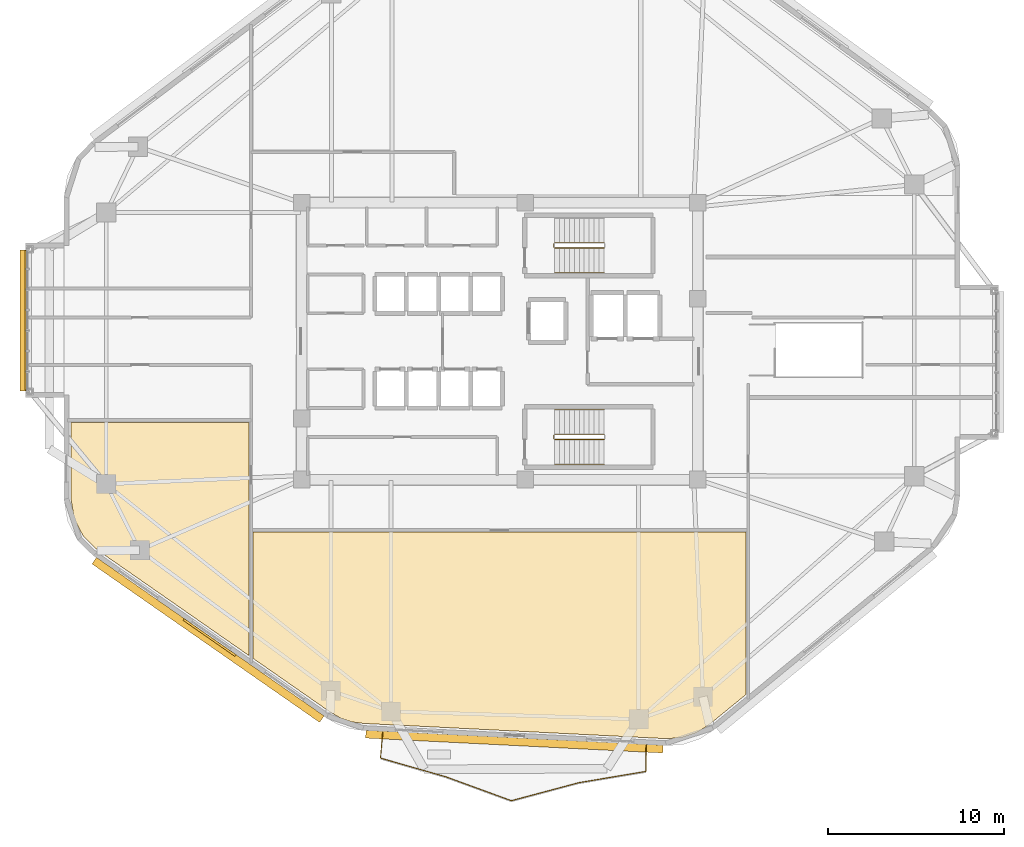
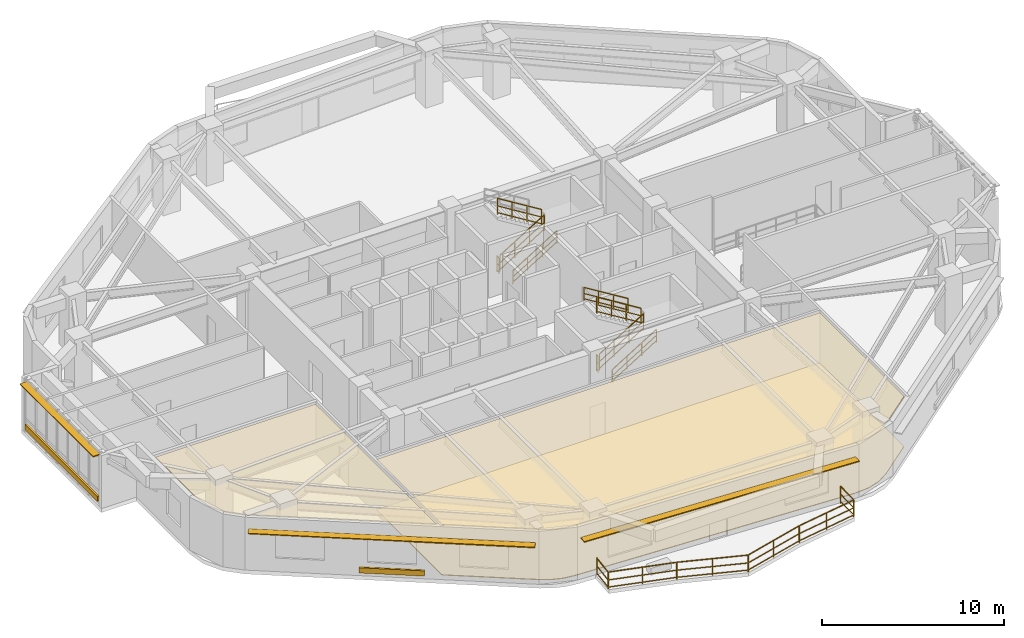
# One storey, part 12 of 14: 15 railings, 5 shading devices, 3 coverings.
"""IFC4 building model written with IfcOpenShell, lengths in metres."""

import ifcopenshell
import ifcopenshell.guid

model = None  # the IFC model being written
_history = None  # IfcOwnerHistory: only IFC2X3 demands one
_inside = {}  # id of a spatial element -> (the spatial element, [elements in it])
_under = {}  # id of a project, library or spatial element -> (it, [spatial elements below it])
_declared = {}  # id of a project -> (the project, [libraries it declares])
_typed = {}  # id of a type object -> (the type object, [elements of that type])
_made_of = {}  # id of a material, layer set ... -> (it, [elements and type objects made of it])


def new_model(schema):
    """Start an empty IFC model of exactly this schema.

    Asked for "IFC4X3", IfcOpenShell would pick the latest addendum, in which some entities
    have other attributes; the version numbers below select the first issue.
    IFC2X3 requires an IfcOwnerHistory on every rooted entity: one is made here for all.
    """
    global model, _history
    if schema == "IFC4X3":
        model = ifcopenshell.file(schema_version=(4, 3, 0, 0))
    else:
        model = ifcopenshell.file(schema=schema)
    _inside.clear()
    _under.clear()
    _declared.clear()
    _typed.clear()
    _made_of.clear()
    _history = None
    if model.schema == "IFC2X3":
        org = make("IfcOrganization", Name="unknown")
        user = make(
            "IfcPersonAndOrganization",
            ThePerson=make("IfcPerson", FamilyName="unknown"),
            TheOrganization=org,
        )
        app = make(
            "IfcApplication",
            ApplicationDeveloper=org,
            Version="unknown",
            ApplicationFullName="unknown",
            ApplicationIdentifier="unknown",
        )
        _history = make(
            "IfcOwnerHistory",
            OwningUser=user,
            OwningApplication=app,
            ChangeAction="ADDED",
            CreationDate=0,
        )
    return model


def make(cls, **values):
    """One entity of the class cls with the attributes given. An attribute that is None is left unset."""
    return model.create_entity(
        cls, **{name: value for name, value in values.items() if value is not None}
    )


def rooted(cls, **values):
    """An entity with a GlobalId (a new one), such as an element, a storey or a relation."""
    return make(cls, GlobalId=ifcopenshell.guid.new(), OwnerHistory=_history, **values)


def si_unit(unit_type, name, prefix=None):
    """IfcSIUnit, for example si_unit("LENGTHUNIT", "METRE", prefix="MILLI")."""
    return make("IfcSIUnit", UnitType=unit_type, Prefix=prefix, Name=name)


def assignment(units):
    """IfcUnitAssignment: the units of a project."""
    return None if units is None else make("IfcUnitAssignment", Units=units)


def point(xyz):
    """IfcCartesianPoint."""
    return None if xyz is None else make("IfcCartesianPoint", Coordinates=xyz)


def direction(xyz):
    """IfcDirection."""
    return None if xyz is None else make("IfcDirection", DirectionRatios=xyz)


def frame(location, z_axis=None, x_axis=None):
    """IfcAxis2Placement3D, a coordinate frame: its origin and axes. An axis left out is left unset."""
    return make(
        "IfcAxis2Placement3D",
        Location=point(location),
        Axis=direction(z_axis),
        RefDirection=direction(x_axis),
    )


def frame_2d(location, x_axis=None):
    """IfcAxis2Placement2D, a coordinate frame in the plane: its origin and x axis."""
    return make(
        "IfcAxis2Placement2D", Location=point(location), RefDirection=direction(x_axis)
    )


def origin():
    """The frame at (0, 0, 0) with its axes left unset."""
    return frame((0.0, 0.0, 0.0))


def origin_2d():
    """The frame at (0, 0) in the plane with its x axis left unset."""
    return frame_2d((0.0, 0.0))


def place(relative_to, where):
    """IfcLocalPlacement: puts the frame where relative to a parent placement (None: the world)."""
    return make(
        "IfcLocalPlacement", PlacementRelTo=relative_to, RelativePlacement=where
    )


def context(
    kind, dimensions, precision=None, world=None, true_north=None, identifier=None
):
    """IfcGeometricRepresentationContext, for example the 3D "Model" context."""
    return make(
        "IfcGeometricRepresentationContext",
        ContextIdentifier=identifier,
        ContextType=kind,
        CoordinateSpaceDimension=dimensions,
        Precision=precision,
        WorldCoordinateSystem=world,
        TrueNorth=true_north,
    )


def subcontext(parent, identifier, kind, view, scale=None):
    """IfcGeometricRepresentationSubContext, for example "Body" below "Model"."""
    return make(
        "IfcGeometricRepresentationSubContext",
        ContextIdentifier=identifier,
        ContextType=kind,
        ParentContext=parent,
        TargetScale=scale,
        TargetView=view,
    )


def project(units=None, contexts=None):
    """IfcProject with its units and contexts."""
    return rooted(
        "IfcProject",
        Name="project",
        RepresentationContexts=contexts,
        UnitsInContext=assignment(units),
    )


def spatial(cls, under=None, at=None, **own):
    """A site, building, storey or space (cls), placed at a placement, below another one or the project."""
    s = rooted(cls, ObjectPlacement=at, **own)
    if under is not None:
        _under.setdefault(under.id(), (under, []))[1].append(s)
    return s


def polyline(points):
    """IfcPolyline through the points."""
    return make("IfcPolyline", Points=[point(p) for p in points])


def profile(cls, at=None, kind="AREA", **sizes):
    """A parametric profile (cls). Its sizes go by their IFC names, for example OverallWidth=200.0."""
    return make(cls, ProfileType=kind, Position=at, **sizes)


def rectangle(**sizes):
    """IfcRectangleProfileDef."""
    return profile("IfcRectangleProfileDef", **sizes)


def outline(outer, holes=None, kind="AREA"):
    """IfcArbitraryClosedProfileDef: a profile drawn as a closed curve; with holes, ...WithVoids."""
    if holes is None:
        return make("IfcArbitraryClosedProfileDef", ProfileType=kind, OuterCurve=outer)
    return make(
        "IfcArbitraryProfileDefWithVoids",
        ProfileType=kind,
        OuterCurve=outer,
        InnerCurves=holes,
    )


def extrude(swept, where, along, depth):
    """IfcExtrudedAreaSolid: the profile swept, set in the frame where, extruded along a direction by depth."""
    return make(
        "IfcExtrudedAreaSolid",
        SweptArea=swept,
        Position=where,
        ExtrudedDirection=direction(along),
        Depth=depth,
    )


def shape(context_of_items, identifier, shape_type, items):
    """IfcShapeRepresentation: the items that make up one representation, for example the "Body"."""
    return make(
        "IfcShapeRepresentation",
        ContextOfItems=context_of_items,
        RepresentationIdentifier=identifier,
        RepresentationType=shape_type,
        Items=items,
    )


def material(Name=None, Category=None):
    """IfcMaterial."""
    return make("IfcMaterial", Name=Name, Category=Category)


def layer(
    of_material, thickness, ventilated=None, Name=None, Category=None, Priority=None
):
    """IfcMaterialLayer: one layer of a wall or slab, of a material (None: an air gap)."""
    return make(
        "IfcMaterialLayer",
        Material=of_material,
        LayerThickness=thickness,
        IsVentilated=ventilated,
        Name=Name,
        Category=Category,
        Priority=Priority,
    )


def layer_set(layers, Name=None):
    """IfcMaterialLayerSet."""
    return make("IfcMaterialLayerSet", MaterialLayers=layers, LayerSetName=Name)


def made_of(thing, what):
    """Note that an element or type object is made of a material, layer set ...; save() writes the relation."""
    if what is not None:
        _made_of.setdefault(what.id(), (what, []))[1].append(thing)
    return thing


def type_object(cls, material=None, **own):
    """A type object (cls), such as IfcWallType, which elements share."""
    return made_of(rooted(cls, **own), material)


def element(
    cls,
    number,
    at=None,
    inside=None,
    cuts=None,
    type_object=None,
    material=None,
    context=None,
    identifier="Body",
    shape_type=None,
    held_by="IfcProductDefinitionShape",
    body=None,
    shapes=None,
    **own,
):
    """One element of the class cls, such as IfcWall. Its Tag is "e" and its number.

    at: its placement. inside: the storey or other place that contains it. cuts: it is an
    opening in that element (IfcRelVoidsElement). A single representation is given by context,
    identifier, shape_type and body (its items); several are given by shapes. held_by: the class
    of the entity that holds the representations. save() writes the other relations.
    """
    e = rooted(cls, Tag="e%d" % number, ObjectPlacement=at, **own)
    if body is not None:
        shapes = [shape(context, identifier, shape_type, body)]
    if shapes is not None:
        e.Representation = make(held_by, Representations=shapes)
    if inside is not None:
        _inside.setdefault(inside.id(), (inside, []))[1].append(e)
    if cuts is not None:
        rooted(
            "IfcRelVoidsElement", RelatingBuildingElement=cuts, RelatedOpeningElement=e
        )
    if type_object is not None:
        _typed.setdefault(type_object.id(), (type_object, []))[1].append(e)
    return made_of(e, material)


def aggregate(whole, parts):
    """IfcRelAggregates: a whole, such as a stair, and the parts it consists of."""
    return rooted("IfcRelAggregates", RelatingObject=whole, RelatedObjects=parts)


def save(model, path):
    """Write the relations noted so far, then the file.

    IfcRelAggregates (storeys below a building ...), IfcRelContainedInSpatialStructure (elements
    in a storey), IfcRelDefinesByType, IfcRelAssociatesMaterial and IfcRelDeclares: one each for
    every whole, place, type object, material and project.
    """
    for whole, parts in _under.values():
        aggregate(whole, parts)
    for where, things in _inside.values():
        rooted(
            "IfcRelContainedInSpatialStructure",
            RelatedElements=things,
            RelatingStructure=where,
        )
    for kind, things in _typed.values():
        rooted("IfcRelDefinesByType", RelatedObjects=things, RelatingType=kind)
    for what, things in _made_of.values():
        rooted("IfcRelAssociatesMaterial", RelatedObjects=things, RelatingMaterial=what)
    for by, libraries in _declared.values():
        rooted("IfcRelDeclares", RelatingContext=by, RelatedDefinitions=libraries)
    model.write(path)


model = new_model("IFC4")

# Units and contexts
model_context = context("Model", 3, precision=1e-05, world=origin(), true_north=direction((0.0, 1.0)))
body_context = subcontext(model_context, "Body", "Model", "MODEL_VIEW")
ifc_project = project(units=[si_unit("LENGTHUNIT", "METRE"), si_unit("AREAUNIT", "SQUARE_METRE"), si_unit("VOLUMEUNIT", "CUBIC_METRE"), si_unit("PLANEANGLEUNIT", "RADIAN"), si_unit("MASSUNIT", "GRAM", prefix="KILO")], contexts=[model_context])

# Site, building, storey
site_placement = place(None, origin())
site = spatial("IfcSite", under=ifc_project, at=site_placement, CompositionType="ELEMENT")
building_placement = place(site_placement, origin())
building = spatial("IfcBuilding", under=site, at=building_placement, Name="Zulverin Broadcast Headquarters", CompositionType="ELEMENT")
storey_placement = place(building_placement, frame((0.0, 0.0, 128.800048828125)))
storey = spatial("IfcBuildingStorey", under=building, at=storey_placement, Name="L32", CompositionType="ELEMENT", Elevation=128.800048828125)

# Coverings
ifc_material_1 = material(Name="Perforated pale-metal acoustic baffle ceiling", Category="aluminium")
ifc_layer_1 = layer(ifc_material_1, 0.0400390625, Name="Perforated pale-metal acoustic baffle ceiling", Category="aluminium")
ifc_layer_set_1 = layer_set([ifc_layer_1], Name="Perforated pale-metal acoustic baffle ceiling")
covering_type_1 = type_object("IfcCoveringType", Name="COV-CEIL-ACOU", PredefinedType="CEILING", material=ifc_layer_set_1)
covering_1_placement = place(storey_placement, frame((0.0, 0.0, 3.35986328125)))
element("IfcCovering", 1, at=covering_1_placement, inside=storey, type_object=covering_type_1, Name="L32 Acoustic Baffle Ceiling 02", PredefinedType="CEILING", context=body_context, shape_type="SweptSolid", body=[
    extrude(outline(polyline([(28.56396484375, 3.535888671875), (29.22802734375, 3.444091796875), (46.49609375, 2.575927734375), (47.3720703125, 2.639892578125), (48.18798828125, 2.907958984375), (48.931884765625, 3.3798828125), (51.031982421875, 5.10009765625), (51.031982421875, 14.33203125), (22.968017578125, 14.33203125), (22.968017578125, 7.139892578125), (27.367919921875, 4.075927734375), (27.947998046875, 3.748046875), (28.56396484375, 3.535888671875)])), origin(), (0.0, 0.0, 1.0), 0.0400390625),
])
covering_2_placement = place(storey_placement, frame((0.0, 0.0, 3.35986328125)))
element("IfcCovering", 2, at=covering_2_placement, inside=storey, type_object=covering_type_1, Name="L32 Acoustic Baffle Ceiling 03", PredefinedType="CEILING", context=body_context, shape_type="SweptSolid", body=[
    extrude(outline(polyline([(22.72802734375, 20.580078125), (12.60009765625, 20.580078125), (12.60009765625, 16.216064453125), (12.783935546875, 15.087890625), (13.300048828125, 14.095947265625), (14.1279296875, 13.2958984375), (22.72802734375, 7.303955078125), (22.72802734375, 20.580078125)])), origin(), (0.0, 0.0, 1.0), 0.0400390625),
])
ifc_material_2 = material(Name="Anti-static broadcast raised access flooring", Category="stone")
ifc_layer_2 = layer(ifc_material_2, 0.050048828125, Name="Anti-static broadcast raised access flooring", Category="stone")
ifc_layer_set_2 = layer_set([ifc_layer_2], Name="Anti-static broadcast raised access flooring")
covering_type_2 = type_object("IfcCoveringType", Name="COV-FLR-RAISED", PredefinedType="FLOORING", material=ifc_layer_set_2)
covering_3_placement = place(storey_placement, origin())
element("IfcCovering", 3, at=covering_3_placement, inside=storey, type_object=covering_type_2, Name="L32 Broadcast Raised Access Flooring 02", PredefinedType="FLOORING", context=body_context, shape_type="SweptSolid", body=[
    extrude(outline(polyline([(28.56396484375, 3.535888671875), (29.22802734375, 3.444091796875), (46.49609375, 2.575927734375), (47.3720703125, 2.639892578125), (48.18798828125, 2.907958984375), (48.931884765625, 3.3798828125), (51.031982421875, 5.10009765625), (51.031982421875, 14.33203125), (22.968017578125, 14.33203125), (22.968017578125, 7.139892578125), (27.367919921875, 4.075927734375), (27.947998046875, 3.748046875), (28.56396484375, 3.535888671875)])), origin(), (0.0, 0.0, 1.0), 0.050048828125),
])

# Railings
ifc_material_3 = material(Name="Brushed stainless steel & laminated glass balustrade", Category="steel")
railing_type_1 = type_object("IfcRailingType", Name="RL-GUARD-1150", PredefinedType="GUARDRAIL", material=ifc_material_3)
railing_1_placement = place(storey_placement, frame((30.344482421875, 2.94580078125, 0.0)))
element("IfcRailing", 4, at=railing_1_placement, inside=storey, type_object=railing_type_1, Name="L32 Vertical-Forest Balcony Guardrail BAL_S Segment 01", PredefinedType="GUARDRAIL", context=body_context, shape_type="SweptSolid", body=[
    extrude(rectangle(XDim=0.048095703125, YDim=0.048095703125, at=origin_2d()), frame((0.0, 0.0, 1.1259765625), z_axis=(-0.090580785215, -0.995889110971, 0.0), x_axis=(0.995889110971, -0.090580785215, 0.0)), (0.0, 0.0, 1.0), 1.46630859375),
    extrude(rectangle(XDim=0.0419921875, YDim=0.0419921875, at=origin_2d()), frame((0.0, 0.0, 0.597900390625), z_axis=(-0.090580785215, -0.995889110971, 0.0), x_axis=(0.995889110971, -0.090580785215, 0.0)), (0.0, 0.0, 1.0), 1.46630859375),
    extrude(rectangle(XDim=0.0419921875, YDim=0.0419921875, at=origin_2d()), frame((0.0, 0.0, 0.1201171875), z_axis=(-0.090580785215, -0.995889110971, 0.0), x_axis=(0.995889110971, -0.090580785215, 0.0)), (0.0, 0.0, 1.0), 1.46630859375),
    extrude(rectangle(XDim=0.0419921875, YDim=0.0419921875, at=origin_2d()), origin(), (0.0, 0.0, 1.0), 1.101806640625),
    extrude(rectangle(XDim=0.0419921875, YDim=0.0419921875, at=origin_2d()), frame((-0.1328125, -1.460205078125, 0.0)), (0.0, 0.0, 1.0), 1.101806640625),
])
railing_2_placement = place(storey_placement, frame((30.224609375, 1.466796875, 0.0)))
element("IfcRailing", 5, at=railing_2_placement, inside=storey, type_object=railing_type_1, Name="L32 Vertical-Forest Balcony Guardrail BAL_S Segment 02", PredefinedType="GUARDRAIL", context=body_context, shape_type="SweptSolid", body=[
    extrude(rectangle(XDim=0.048095703125, YDim=0.048095703125, at=origin_2d()), frame((0.0, 0.0, 1.1259765625), z_axis=(0.96131573852, -0.275448817158, 0.0), x_axis=(0.275448817158, 0.96131573852, 0.0)), (0.0, 0.0, 1.0), 3.854736328125),
    extrude(rectangle(XDim=0.0419921875, YDim=0.0419921875, at=origin_2d()), frame((0.0, 0.0, 0.597900390625), z_axis=(0.96131573852, -0.275448817158, 0.0), x_axis=(0.275448817158, 0.96131573852, 0.0)), (0.0, 0.0, 1.0), 3.854736328125),
    extrude(rectangle(XDim=0.0419921875, YDim=0.0419921875, at=origin_2d()), frame((0.0, 0.0, 0.1201171875), z_axis=(0.96131573852, -0.275448817158, 0.0), x_axis=(0.275448817158, 0.96131573852, 0.0)), (0.0, 0.0, 1.0), 3.854736328125),
    extrude(rectangle(XDim=0.0419921875, YDim=0.0419921875, at=origin_2d()), origin(), (0.0, 0.0, 1.0), 1.101806640625),
    extrude(rectangle(XDim=0.0419921875, YDim=0.0419921875, at=origin_2d()), frame((1.852783203125, -0.53076171875, 0.0)), (0.0, 0.0, 1.0), 1.101806640625),
    extrude(rectangle(XDim=0.0419921875, YDim=0.0419921875, at=origin_2d()), frame((3.70556640625, -1.061767578125, 0.0)), (0.0, 0.0, 1.0), 1.101806640625),
])
railing_3_placement = place(storey_placement, frame((33.958740234375, 0.395751953125, 0.0)))
element("IfcRailing", 6, at=railing_3_placement, inside=storey, type_object=railing_type_1, Name="L32 Vertical-Forest Balcony Guardrail BAL_S Segment 03", PredefinedType="GUARDRAIL", context=body_context, shape_type="SweptSolid", body=[
    extrude(rectangle(XDim=0.048095703125, YDim=0.048095703125, at=origin_2d()), frame((0.0, 0.0, 1.1259765625), z_axis=(0.939464654172, -0.34264582817, 0.0), x_axis=(0.34264582817, 0.939464654172, 0.0)), (0.0, 0.0, 1.0), 3.929443359375),
    extrude(rectangle(XDim=0.0419921875, YDim=0.0419921875, at=origin_2d()), frame((0.0, 0.0, 0.597900390625), z_axis=(0.939464654172, -0.34264582817, 0.0), x_axis=(0.34264582817, 0.939464654172, 0.0)), (0.0, 0.0, 1.0), 3.929443359375),
    extrude(rectangle(XDim=0.0419921875, YDim=0.0419921875, at=origin_2d()), frame((0.0, 0.0, 0.1201171875), z_axis=(0.939464654172, -0.34264582817, 0.0), x_axis=(0.34264582817, 0.939464654172, 0.0)), (0.0, 0.0, 1.0), 3.929443359375),
    extrude(rectangle(XDim=0.0419921875, YDim=0.0419921875, at=origin_2d()), origin(), (0.0, 0.0, 1.0), 1.101806640625),
    extrude(rectangle(XDim=0.0419921875, YDim=0.0419921875, at=origin_2d()), frame((1.845703125, -0.67333984375, 0.0)), (0.0, 0.0, 1.0), 1.101806640625),
    extrude(rectangle(XDim=0.0419921875, YDim=0.0419921875, at=origin_2d()), frame((3.691650390625, -1.346435546875, 0.0)), (0.0, 0.0, 1.0), 1.101806640625),
])
railing_4_placement = place(storey_placement, frame((37.678955078125, -0.951904296875, 0.0)))
element("IfcRailing", 7, at=railing_4_placement, inside=storey, type_object=railing_type_1, Name="L32 Vertical-Forest Balcony Guardrail BAL_S Segment 04", PredefinedType="GUARDRAIL", context=body_context, shape_type="SweptSolid", body=[
    extrude(rectangle(XDim=0.048095703125, YDim=0.048095703125, at=origin_2d()), frame((0.0, 0.0, 1.1259765625), z_axis=(0.966129038043, 0.2580594541, 0.0), x_axis=(-0.2580594541, 0.966129038043, 0.0)), (0.0, 0.0, 1.0), 3.944091796875),
    extrude(rectangle(XDim=0.0419921875, YDim=0.0419921875, at=origin_2d()), frame((0.0, 0.0, 0.597900390625), z_axis=(0.966129038043, 0.2580594541, 0.0), x_axis=(-0.2580594541, 0.966129038043, 0.0)), (0.0, 0.0, 1.0), 3.944091796875),
    extrude(rectangle(XDim=0.0419921875, YDim=0.0419921875, at=origin_2d()), frame((0.0, 0.0, 0.1201171875), z_axis=(0.966129038043, 0.2580594541, 0.0), x_axis=(-0.2580594541, 0.966129038043, 0.0)), (0.0, 0.0, 1.0), 3.944091796875),
    extrude(rectangle(XDim=0.0419921875, YDim=0.0419921875, at=origin_2d()), origin(), (0.0, 0.0, 1.0), 1.101806640625),
    extrude(rectangle(XDim=0.0419921875, YDim=0.0419921875, at=origin_2d()), frame((1.9052734375, 0.5087890625, 0.0)), (0.0, 0.0, 1.0), 1.101806640625),
    extrude(rectangle(XDim=0.0419921875, YDim=0.0419921875, at=origin_2d()), frame((3.810546875, 1.017822265625, 0.0)), (0.0, 0.0, 1.0), 1.101806640625),
])
railing_5_placement = place(storey_placement, frame((41.518798828125, 0.072509765625, 0.0)))
element("IfcRailing", 8, at=railing_5_placement, inside=storey, type_object=railing_type_1, Name="L32 Vertical-Forest Balcony Guardrail BAL_S Segment 05", PredefinedType="GUARDRAIL", context=body_context, shape_type="SweptSolid", body=[
    extrude(rectangle(XDim=0.048095703125, YDim=0.048095703125, at=origin_2d()), frame((0.0, 0.0, 1.1259765625), z_axis=(0.986152538252, 0.165840801068, 0.0), x_axis=(-0.165840801068, 0.986152538252, 0.0)), (0.0, 0.0, 1.0), 3.84375),
    extrude(rectangle(XDim=0.0419921875, YDim=0.0419921875, at=origin_2d()), frame((0.0, 0.0, 0.597900390625), z_axis=(0.986152538252, 0.165840801068, 0.0), x_axis=(-0.165840801068, 0.986152538252, 0.0)), (0.0, 0.0, 1.0), 3.84375),
    extrude(rectangle(XDim=0.0419921875, YDim=0.0419921875, at=origin_2d()), frame((0.0, 0.0, 0.1201171875), z_axis=(0.986152538252, 0.165840801068, 0.0), x_axis=(-0.165840801068, 0.986152538252, 0.0)), (0.0, 0.0, 1.0), 3.84375),
    extrude(rectangle(XDim=0.0419921875, YDim=0.0419921875, at=origin_2d()), origin(), (0.0, 0.0, 1.0), 1.101806640625),
    extrude(rectangle(XDim=0.0419921875, YDim=0.0419921875, at=origin_2d()), frame((1.895263671875, 0.31884765625, 0.0)), (0.0, 0.0, 1.0), 1.101806640625),
    extrude(rectangle(XDim=0.0419921875, YDim=0.0419921875, at=origin_2d()), frame((3.79052734375, 0.637451171875, 0.0)), (0.0, 0.0, 1.0), 1.101806640625),
])
railing_6_placement = place(storey_placement, frame((45.32421875, 0.7275390625, 0.0)))
element("IfcRailing", 9, at=railing_6_placement, inside=storey, type_object=railing_type_1, Name="L32 Vertical-Forest Balcony Guardrail BAL_S Segment 06", PredefinedType="GUARDRAIL", context=body_context, shape_type="SweptSolid", body=[
    extrude(rectangle(XDim=0.048095703125, YDim=0.048095703125, at=origin_2d()), frame((0.0, 0.0, 1.1259765625), z_axis=(0.009658167329, 0.999953358814, 0.0), x_axis=(-0.999953358814, 0.009658167329, 0.0)), (0.0, 0.0, 1.0), 1.466064453125),
    extrude(rectangle(XDim=0.0419921875, YDim=0.0419921875, at=origin_2d()), frame((0.0, 0.0, 0.597900390625), z_axis=(0.009658167329, 0.999953358814, 0.0), x_axis=(-0.999953358814, 0.009658167329, 0.0)), (0.0, 0.0, 1.0), 1.466064453125),
    extrude(rectangle(XDim=0.0419921875, YDim=0.0419921875, at=origin_2d()), frame((0.0, 0.0, 0.1201171875), z_axis=(0.009658167329, 0.999953358814, 0.0), x_axis=(-0.999953358814, 0.009658167329, 0.0)), (0.0, 0.0, 1.0), 1.466064453125),
    extrude(rectangle(XDim=0.0419921875, YDim=0.0419921875, at=origin_2d()), origin(), (0.0, 0.0, 1.0), 1.101806640625),
    extrude(rectangle(XDim=0.0419921875, YDim=0.0419921875, at=origin_2d()), frame((0.01416015625, 1.466064453125, 0.0)), (0.0, 0.0, 1.0), 1.101806640625),
])
ifc_material_4 = material(Name="Painted galvanized steel tubular guardrail S355JR", Category="steel")
railing_type_2 = type_object("IfcRailingType", Name="RL-ST-GUARD", PredefinedType="GUARDRAIL", material=ifc_material_4)
railing_7_placement = place(storey_placement, frame((40.1298828125, 30.5, 0.172607421875)))
element("IfcRailing", 10, at=railing_7_placement, inside=storey, type_object=railing_type_2, Name="L32 ST-1 stair guard 1", PredefinedType="GUARDRAIL", context=body_context, shape_type="SweptSolid", body=[
    extrude(rectangle(XDim=0.048095703125, YDim=0.048095703125, at=origin_2d()), frame((0.0, 0.0, 1.076171875), z_axis=(0.851089632645, 0.0, 0.525020415988), x_axis=(0.0, 1.0, 0.0)), (0.0, 0.0, 1.0), 3.2900390625),
    extrude(rectangle(XDim=0.0419921875, YDim=0.0419921875, at=origin_2d()), frame((0.0, 0.0, 0.572021484375), z_axis=(0.851089632645, 0.0, 0.525020415988), x_axis=(0.0, 1.0, 0.0)), (0.0, 0.0, 1.0), 3.2900390625),
    extrude(rectangle(XDim=0.0419921875, YDim=0.0419921875, at=origin_2d()), frame((0.0, 0.0, 0.1201171875), z_axis=(0.851089632645, 0.0, 0.525020415988), x_axis=(0.0, 1.0, 0.0)), (0.0, 0.0, 1.0), 3.2900390625),
    extrude(rectangle(XDim=0.0419921875, YDim=0.0419921875, at=origin_2d()), origin(), (0.0, 0.0, 1.0), 1.052001953125),
    extrude(rectangle(XDim=0.0419921875, YDim=0.0419921875, at=origin_2d()), frame((0.933349609375, 0.0, 0.57568359375)), (0.0, 0.0, 1.0), 1.052001953125),
    extrude(rectangle(XDim=0.0419921875, YDim=0.0419921875, at=origin_2d()), frame((1.86669921875, 0.0, 1.151611328125)), (0.0, 0.0, 1.0), 1.052001953125),
    extrude(rectangle(XDim=0.0419921875, YDim=0.0419921875, at=origin_2d()), frame((2.800048828125, 0.0, 1.727294921875)), (0.0, 0.0, 1.0), 1.052001953125),
])
railing_8_placement = place(storey_placement, frame((42.929931640625, 30.800048828125, 2.07275390625)))
element("IfcRailing", 11, at=railing_8_placement, inside=storey, type_object=railing_type_2, Name="L32 ST-1 stair guard 3", PredefinedType="GUARDRAIL", context=body_context, shape_type="SweptSolid", body=[
    extrude(rectangle(XDim=0.048095703125, YDim=0.048095703125, at=origin_2d()), frame((0.0, 0.0, 1.076171875), z_axis=(-0.851089632645, 0.0, 0.525020415988), x_axis=(0.0, -1.0, 0.0)), (0.0, 0.0, 1.0), 3.2900390625),
    extrude(rectangle(XDim=0.0419921875, YDim=0.0419921875, at=origin_2d()), frame((0.0, 0.0, 0.572021484375), z_axis=(-0.851089632645, 0.0, 0.525020415988), x_axis=(0.0, -1.0, 0.0)), (0.0, 0.0, 1.0), 3.2900390625),
    extrude(rectangle(XDim=0.0419921875, YDim=0.0419921875, at=origin_2d()), frame((0.0, 0.0, 0.1201171875), z_axis=(-0.851089632645, 0.0, 0.525020415988), x_axis=(0.0, -1.0, 0.0)), (0.0, 0.0, 1.0), 3.2900390625),
    extrude(rectangle(XDim=0.0419921875, YDim=0.0419921875, at=origin_2d()), origin(), (0.0, 0.0, 1.0), 1.052001953125),
    extrude(rectangle(XDim=0.0419921875, YDim=0.0419921875, at=origin_2d()), frame((-0.933349609375, 0.0, 0.57568359375)), (0.0, 0.0, 1.0), 1.052001953125),
    extrude(rectangle(XDim=0.0419921875, YDim=0.0419921875, at=origin_2d()), frame((-1.86669921875, 0.0, 1.151611328125)), (0.0, 0.0, 1.0), 1.052001953125),
    extrude(rectangle(XDim=0.0419921875, YDim=0.0419921875, at=origin_2d()), frame((-2.800048828125, 0.0, 1.727294921875)), (0.0, 0.0, 1.0), 1.052001953125),
])
railing_9_placement = place(storey_placement, frame((40.080078125, 30.550048828125, 0.0)))
element("IfcRailing", 12, at=railing_9_placement, inside=storey, type_object=railing_type_2, Name="L32 ST-1 stair guard 4", PredefinedType="GUARDRAIL", context=body_context, shape_type="SweptSolid", body=[
    extrude(rectangle(XDim=0.048095703125, YDim=0.048095703125, at=origin_2d()), frame((0.0, 0.0, 1.076171875), z_axis=(0.0, 1.0, 0.0), x_axis=(-1.0, 0.0, 0.0)), (0.0, 0.0, 1.0), 0.199951171875),
    extrude(rectangle(XDim=0.0419921875, YDim=0.0419921875, at=origin_2d()), frame((0.0, 0.0, 0.572021484375), z_axis=(0.0, 1.0, 0.0), x_axis=(-1.0, 0.0, 0.0)), (0.0, 0.0, 1.0), 0.199951171875),
    extrude(rectangle(XDim=0.0419921875, YDim=0.0419921875, at=origin_2d()), frame((0.0, 0.0, 0.1201171875), z_axis=(0.0, 1.0, 0.0), x_axis=(-1.0, 0.0, 0.0)), (0.0, 0.0, 1.0), 0.199951171875),
    extrude(rectangle(XDim=0.0419921875, YDim=0.0419921875, at=origin_2d()), origin(), (0.0, 0.0, 1.0), 1.052001953125),
    extrude(rectangle(XDim=0.0419921875, YDim=0.0419921875, at=origin_2d()), frame((0.0, 0.199951171875, 0.0)), (0.0, 0.0, 1.0), 1.052001953125),
])
railing_10_placement = place(storey_placement, frame((40.1298828125, 19.60009765625, 0.172607421875)))
element("IfcRailing", 13, at=railing_10_placement, inside=storey, type_object=railing_type_2, Name="L32 ST-2 stair guard 1", PredefinedType="GUARDRAIL", context=body_context, shape_type="SweptSolid", body=[
    extrude(rectangle(XDim=0.048095703125, YDim=0.048095703125, at=origin_2d()), frame((0.0, 0.0, 1.076171875), z_axis=(0.851089632645, 0.0, 0.525020415988), x_axis=(0.0, 1.0, 0.0)), (0.0, 0.0, 1.0), 3.2900390625),
    extrude(rectangle(XDim=0.0419921875, YDim=0.0419921875, at=origin_2d()), frame((0.0, 0.0, 0.572021484375), z_axis=(0.851089632645, 0.0, 0.525020415988), x_axis=(0.0, 1.0, 0.0)), (0.0, 0.0, 1.0), 3.2900390625),
    extrude(rectangle(XDim=0.0419921875, YDim=0.0419921875, at=origin_2d()), frame((0.0, 0.0, 0.1201171875), z_axis=(0.851089632645, 0.0, 0.525020415988), x_axis=(0.0, 1.0, 0.0)), (0.0, 0.0, 1.0), 3.2900390625),
    extrude(rectangle(XDim=0.0419921875, YDim=0.0419921875, at=origin_2d()), origin(), (0.0, 0.0, 1.0), 1.052001953125),
    extrude(rectangle(XDim=0.0419921875, YDim=0.0419921875, at=origin_2d()), frame((0.933349609375, 0.0, 0.57568359375)), (0.0, 0.0, 1.0), 1.052001953125),
    extrude(rectangle(XDim=0.0419921875, YDim=0.0419921875, at=origin_2d()), frame((1.86669921875, 0.0, 1.151611328125)), (0.0, 0.0, 1.0), 1.052001953125),
    extrude(rectangle(XDim=0.0419921875, YDim=0.0419921875, at=origin_2d()), frame((2.800048828125, 0.0, 1.727294921875)), (0.0, 0.0, 1.0), 1.052001953125),
])
railing_11_placement = place(storey_placement, frame((42.929931640625, 19.89990234375, 2.07275390625)))
element("IfcRailing", 14, at=railing_11_placement, inside=storey, type_object=railing_type_2, Name="L32 ST-2 stair guard 3", PredefinedType="GUARDRAIL", context=body_context, shape_type="SweptSolid", body=[
    extrude(rectangle(XDim=0.048095703125, YDim=0.048095703125, at=origin_2d()), frame((0.0, 0.0, 1.076171875), z_axis=(-0.851089632645, 0.0, 0.525020415988), x_axis=(0.0, -1.0, 0.0)), (0.0, 0.0, 1.0), 3.2900390625),
    extrude(rectangle(XDim=0.0419921875, YDim=0.0419921875, at=origin_2d()), frame((0.0, 0.0, 0.572021484375), z_axis=(-0.851089632645, 0.0, 0.525020415988), x_axis=(0.0, -1.0, 0.0)), (0.0, 0.0, 1.0), 3.2900390625),
    extrude(rectangle(XDim=0.0419921875, YDim=0.0419921875, at=origin_2d()), frame((0.0, 0.0, 0.1201171875), z_axis=(-0.851089632645, 0.0, 0.525020415988), x_axis=(0.0, -1.0, 0.0)), (0.0, 0.0, 1.0), 3.2900390625),
    extrude(rectangle(XDim=0.0419921875, YDim=0.0419921875, at=origin_2d()), origin(), (0.0, 0.0, 1.0), 1.052001953125),
    extrude(rectangle(XDim=0.0419921875, YDim=0.0419921875, at=origin_2d()), frame((-0.933349609375, 0.0, 0.57568359375)), (0.0, 0.0, 1.0), 1.052001953125),
    extrude(rectangle(XDim=0.0419921875, YDim=0.0419921875, at=origin_2d()), frame((-1.86669921875, 0.0, 1.151611328125)), (0.0, 0.0, 1.0), 1.052001953125),
    extrude(rectangle(XDim=0.0419921875, YDim=0.0419921875, at=origin_2d()), frame((-2.800048828125, 0.0, 1.727294921875)), (0.0, 0.0, 1.0), 1.052001953125),
])
railing_12_placement = place(storey_placement, frame((40.080078125, 19.64990234375, 0.0)))
element("IfcRailing", 15, at=railing_12_placement, inside=storey, type_object=railing_type_2, Name="L32 ST-2 stair guard 4", PredefinedType="GUARDRAIL", context=body_context, shape_type="SweptSolid", body=[
    extrude(rectangle(XDim=0.048095703125, YDim=0.048095703125, at=origin_2d()), frame((0.0, 0.0, 1.076171875), z_axis=(0.0, 1.0, 0.0), x_axis=(-1.0, 0.0, 0.0)), (0.0, 0.0, 1.0), 0.2001953125),
    extrude(rectangle(XDim=0.0419921875, YDim=0.0419921875, at=origin_2d()), frame((0.0, 0.0, 0.572021484375), z_axis=(0.0, 1.0, 0.0), x_axis=(-1.0, 0.0, 0.0)), (0.0, 0.0, 1.0), 0.2001953125),
    extrude(rectangle(XDim=0.0419921875, YDim=0.0419921875, at=origin_2d()), frame((0.0, 0.0, 0.1201171875), z_axis=(0.0, 1.0, 0.0), x_axis=(-1.0, 0.0, 0.0)), (0.0, 0.0, 1.0), 0.2001953125),
    extrude(rectangle(XDim=0.0419921875, YDim=0.0419921875, at=origin_2d()), origin(), (0.0, 0.0, 1.0), 1.052001953125),
    extrude(rectangle(XDim=0.0419921875, YDim=0.0419921875, at=origin_2d()), frame((0.0, 0.2001953125, 0.0)), (0.0, 0.0, 1.0), 1.052001953125),
])
ifc_material_5 = material(Name="Brushed stainless steel 48 mm handrail", Category="steel")
railing_type_3 = type_object("IfcRailingType", Name="RL-ST-HAND", PredefinedType="HANDRAIL", material=ifc_material_5)
for number, where, name in (
    (16, (40.1298828125, 29.10009765625, 0.172607421875), "L32 ST-1 stair handrail 1"),
    (17, (40.1298828125, 18.199951171875, 0.172607421875), "L32 ST-2 stair handrail 1"),
):
    element("IfcRailing", number, at=place(storey_placement, frame(where)), inside=storey, type_object=railing_type_3, Name=name, PredefinedType="HANDRAIL", context=body_context, shape_type="SweptSolid", body=[
        extrude(rectangle(XDim=0.048095703125, YDim=0.048095703125, at=origin_2d()), frame((0.0, 0.0, 0.8759765625), z_axis=(0.851089632645, 0.0, 0.525020415988), x_axis=(0.0, 1.0, 0.0)), (0.0, 0.0, 1.0), 3.2900390625),
        extrude(rectangle(XDim=0.0419921875, YDim=0.0419921875, at=origin_2d()), frame((0.0, 0.0, 0.468017578125), z_axis=(0.851089632645, 0.0, 0.525020415988), x_axis=(0.0, 1.0, 0.0)), (0.0, 0.0, 1.0), 3.2900390625),
        extrude(rectangle(XDim=0.0419921875, YDim=0.0419921875, at=origin_2d()), frame((0.0, 0.0, 0.1201171875), z_axis=(0.851089632645, 0.0, 0.525020415988), x_axis=(0.0, 1.0, 0.0)), (0.0, 0.0, 1.0), 3.2900390625),
        extrude(rectangle(XDim=0.0419921875, YDim=0.0419921875, at=origin_2d()), origin(), (0.0, 0.0, 1.0), 0.851806640625),
        extrude(rectangle(XDim=0.0419921875, YDim=0.0419921875, at=origin_2d()), frame((0.933349609375, 0.0, 0.57568359375)), (0.0, 0.0, 1.0), 0.851806640625),
        extrude(rectangle(XDim=0.0419921875, YDim=0.0419921875, at=origin_2d()), frame((1.86669921875, 0.0, 1.151611328125)), (0.0, 0.0, 1.0), 0.851806640625),
        extrude(rectangle(XDim=0.0419921875, YDim=0.0419921875, at=origin_2d()), frame((2.800048828125, 0.0, 1.727294921875)), (0.0, 0.0, 1.0), 0.851806640625),
    ])
railing_13_placement = place(storey_placement, frame((42.929931640625, 21.300048828125, 2.07275390625)))
element("IfcRailing", 18, at=railing_13_placement, inside=storey, type_object=railing_type_3, Name="L32 ST-2 stair handrail 2", PredefinedType="HANDRAIL", context=body_context, shape_type="SweptSolid", body=[
    extrude(rectangle(XDim=0.048095703125, YDim=0.048095703125, at=origin_2d()), frame((0.0, 0.0, 0.8759765625), z_axis=(-0.851089632645, 0.0, 0.525020415988), x_axis=(0.0, -1.0, 0.0)), (0.0, 0.0, 1.0), 3.2900390625),
    extrude(rectangle(XDim=0.0419921875, YDim=0.0419921875, at=origin_2d()), frame((0.0, 0.0, 0.468017578125), z_axis=(-0.851089632645, 0.0, 0.525020415988), x_axis=(0.0, -1.0, 0.0)), (0.0, 0.0, 1.0), 3.2900390625),
    extrude(rectangle(XDim=0.0419921875, YDim=0.0419921875, at=origin_2d()), frame((0.0, 0.0, 0.1201171875), z_axis=(-0.851089632645, 0.0, 0.525020415988), x_axis=(0.0, -1.0, 0.0)), (0.0, 0.0, 1.0), 3.2900390625),
    extrude(rectangle(XDim=0.0419921875, YDim=0.0419921875, at=origin_2d()), origin(), (0.0, 0.0, 1.0), 0.851806640625),
    extrude(rectangle(XDim=0.0419921875, YDim=0.0419921875, at=origin_2d()), frame((-0.933349609375, 0.0, 0.57568359375)), (0.0, 0.0, 1.0), 0.851806640625),
    extrude(rectangle(XDim=0.0419921875, YDim=0.0419921875, at=origin_2d()), frame((-1.86669921875, 0.0, 1.151611328125)), (0.0, 0.0, 1.0), 0.851806640625),
    extrude(rectangle(XDim=0.0419921875, YDim=0.0419921875, at=origin_2d()), frame((-2.800048828125, 0.0, 1.727294921875)), (0.0, 0.0, 1.0), 0.851806640625),
])

# Shading devices
ifc_material_6 = material(Name="Anodized pale-metal aluminium acoustic louvre", Category="aluminium")
shading_device_type_1 = type_object("IfcShadingDeviceType", Name="SHD-LOUVRE-350", PredefinedType="USERDEFINED", material=ifc_material_6)
shading_device_1_placement = place(storey_placement, frame((20.490478515625, 8.32958984375, 0.244873046875), z_axis=(0.0, 0.0, 1.0), x_axis=(0.820695732456, -0.57136548262, 0.0)))
element("IfcShadingDevice", 19, at=shading_device_1_placement, inside=storey, type_object=shading_device_type_1, Name="L32 Spandrel Intake Louvre 8", ObjectType="LOUVRE", PredefinedType="USERDEFINED", context=body_context, shape_type="SweptSolid", body=[
    extrude(rectangle(XDim=3.60009765625, YDim=0.1201171875, at=origin_2d()), origin(), (0.0, 0.0, 1.0), 0.35009765625),
])
shading_device_2_placement = place(storey_placement, frame((10.0400390625, 26.389892578125, 0.224853515625), z_axis=(0.0, 0.0, 1.0), x_axis=(0.0, -1.0, 0.0)))
element("IfcShadingDevice", 20, at=shading_device_2_placement, inside=storey, type_object=shading_device_type_1, Name="L32 Pale-Metal Acoustic Louvre Screen CW-L32-SBOX_SKY1_W-F", ObjectType="LOUVRE", PredefinedType="USERDEFINED", context=body_context, shape_type="SweptSolid", body=[
    extrude(rectangle(XDim=7.93994140625, YDim=0.1201171875, at=origin_2d()), origin(), (0.0, 0.0, 1.0), 0.35009765625),
])
ifc_material_7 = material(Name="Anodized pale-metal aluminium sunshade", Category="aluminium")
ifc_layer_3 = layer(ifc_material_7, 0.06005859375, Name="Anodized pale-metal aluminium sunshade", Category="aluminium")
ifc_layer_set_3 = layer_set([ifc_layer_3], Name="Anodized pale-metal aluminium sunshade")
shading_device_type_2 = type_object("IfcShadingDeviceType", Name="SS-01_PALE_METAL_ALUMINIUM_SUNSHADE", PredefinedType="USERDEFINED", material=ifc_layer_set_3)
shading_device_3_placement = place(storey_placement, frame((37.83349609375, 2.409912109375, 2.7099609375), z_axis=(0.0, 0.0, 1.0), x_axis=(0.99874387485, -0.050106610841, 0.0)))
element("IfcShadingDevice", 21, at=shading_device_3_placement, inside=storey, type_object=shading_device_type_2, Name="L32 Horizontal Pale-Metal Sunshade Band 1", ObjectType="SUNSHADE", PredefinedType="USERDEFINED", context=body_context, shape_type="SweptSolid", body=[
    extrude(rectangle(XDim=16.932861328125, YDim=0.449951171875, at=origin_2d()), origin(), (0.0, 0.0, 1.0), 0.06005859375),
])
shading_device_4_placement = place(storey_placement, frame((20.399169921875, 8.1982421875, 2.7099609375), z_axis=(0.0, 0.0, 1.0), x_axis=(0.820695732456, -0.57136548262, 0.0)))
element("IfcShadingDevice", 22, at=shading_device_4_placement, inside=storey, type_object=shading_device_type_2, Name="L32 Horizontal Pale-Metal Sunshade Band 8", ObjectType="SUNSHADE", PredefinedType="USERDEFINED", context=body_context, shape_type="SweptSolid", body=[
    extrude(rectangle(XDim=15.785400390625, YDim=0.449951171875, at=origin_2d()), origin(), (0.0, 0.0, 1.0), 0.06005859375),
])
shading_device_5_placement = place(storey_placement, frame((9.919921875, 26.389892578125, 3.309814453125), z_axis=(0.0, 0.0, 1.0), x_axis=(0.0, -1.0, 0.0)))
element("IfcShadingDevice", 23, at=shading_device_5_placement, inside=storey, type_object=shading_device_type_2, Name="L32 Pale-Metal Horizontal Sunshade Band CW-L32-SBOX_SKY1_W-F", ObjectType="SUNSHADE", PredefinedType="USERDEFINED", context=body_context, shape_type="SweptSolid", body=[
    extrude(rectangle(XDim=8.02001953125, YDim=0.449951171875, at=origin_2d()), origin(), (0.0, 0.0, 1.0), 0.06005859375),
])

save(model, "model.ifc")
